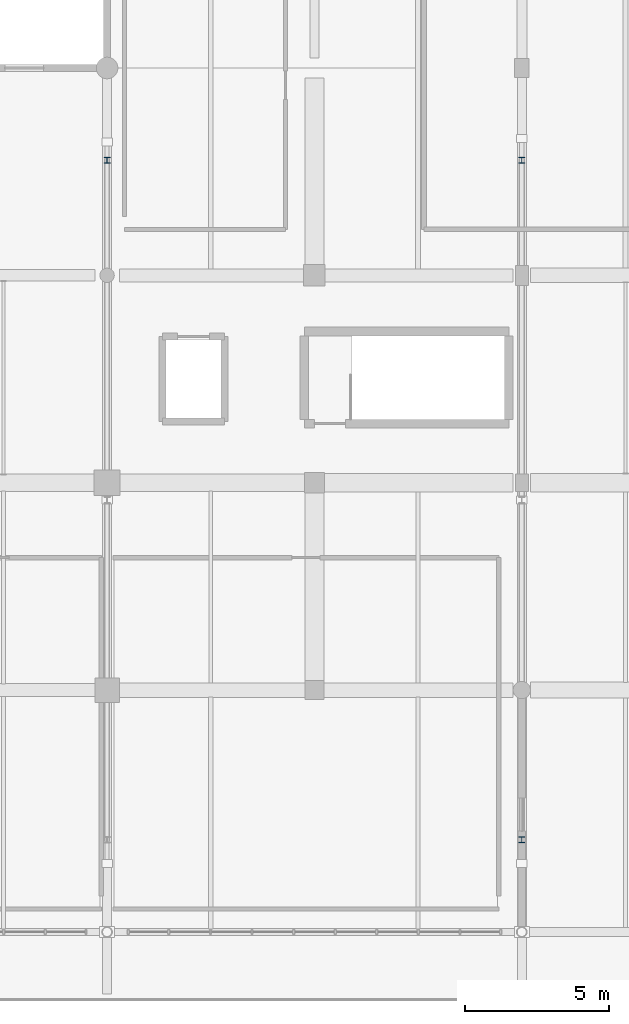
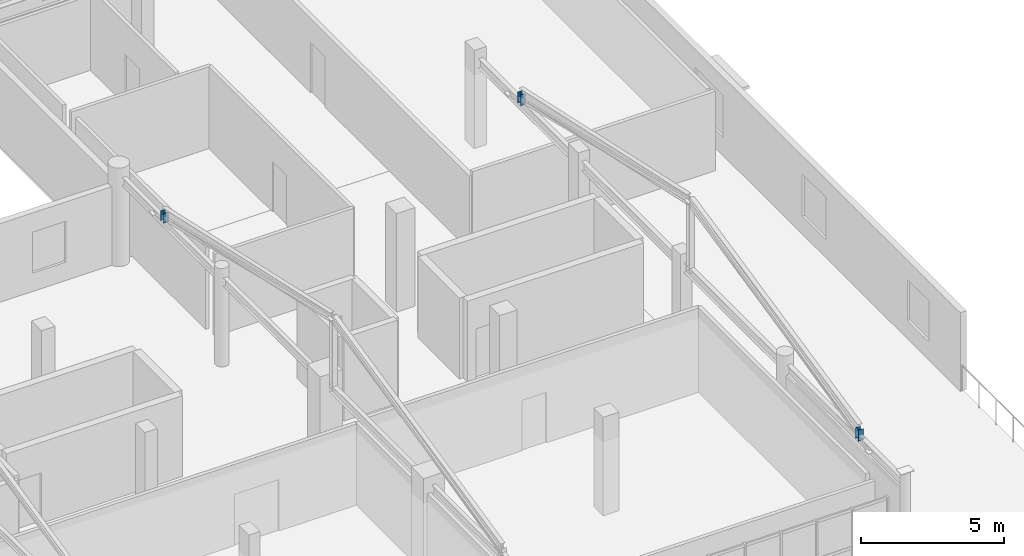
# One storey, part 19 of 41: 3 members.
"""IFC4 building model written with IfcOpenShell, lengths in metres."""

from ifc_helpers import new_model, si_unit, direction, frame, origin, origin_2d, place, context, subcontext, project, spatial, i_section, extrude, material, material_profile, profile_set, type_object, element, save


model = new_model("IFC4")

# Units and contexts
model_context = context("Model", 3, precision=1e-05, world=origin(), true_north=direction((0.0, 1.0)))
body_context = subcontext(model_context, "Body", "Model", "MODEL_VIEW")
ifc_project = project(units=[si_unit("LENGTHUNIT", "METRE"), si_unit("AREAUNIT", "SQUARE_METRE"), si_unit("VOLUMEUNIT", "CUBIC_METRE"), si_unit("PLANEANGLEUNIT", "RADIAN"), si_unit("MASSUNIT", "GRAM", prefix="KILO")], contexts=[model_context])

# Site, building, storey
site_placement = place(None, origin())
site = spatial("IfcSite", under=ifc_project, at=site_placement, CompositionType="ELEMENT")
building_placement = place(site_placement, origin())
building = spatial("IfcBuilding", under=site, at=building_placement, Name="Solanera Park Tramway Depot", CompositionType="ELEMENT")
storey_placement = place(building_placement, frame((0.0, 0.0, 13.199951171875)))
storey = spatial("IfcBuildingStorey", under=building, at=storey_placement, Name="L03", CompositionType="ELEMENT", Elevation=13.199951171875)

# Members
ifc_material = material(Name="Steel AS/NZS 3679.1 Grade 350", Category="steel")
ifc_material_profile = material_profile(ifc_material, i_section(OverallWidth=0.205078125, OverallDepth=0.209716796875, WebThickness=0.00927734375, FlangeThickness=0.01416015625, at=origin_2d()), Name="200UC59.5")
ifc_profile_set = profile_set([ifc_material_profile], Name="Steel AS/NZS 3679.1 Grade 350")
member_type = type_object("IfcMemberType", Name="Roof Gantry Compression Strut 200UC59.5", PredefinedType="STRUT", material=ifc_profile_set)
member_placement = place(storey_placement, frame((165.60009765625, 29.199951171875, 3.622314453125), z_axis=(0.0, 0.0, 1.0), x_axis=(1.0, 0.0, 0.0)))
element("IfcMember", 1, at=member_placement, inside=storey, type_object=member_type, Name="Hip ROOF TRUSS Heel Post #0132", PredefinedType="STRUT", context=body_context, shape_type="SweptSolid", body=[
    extrude(i_section(OverallWidth=0.205078125, OverallDepth=0.209716796875, WebThickness=0.00927734375, FlangeThickness=0.01416015625, at=origin_2d()), origin(), (0.0, 0.0, 1.0), 0.41552734375),
])
for number, where, z_axis, x_axis, name in (
    (2, (180.0, 5.60009765625, 3.596923828125), (0.0, 0.0, 1.0), (1.0, 0.0, 0.0), "Hip ROOF TRUSS Heel Post #0134"),
    (3, (180.0, 29.199951171875, 3.596923828125), (0.0, 0.0, 1.0), (1.0, 0.0, 0.0), "Hip ROOF TRUSS Heel Post #0135"),
):
    element("IfcMember", number, at=place(storey_placement, frame(where, z_axis=z_axis, x_axis=x_axis)), inside=storey, type_object=member_type, Name=name, PredefinedType="STRUT", context=body_context, shape_type="SweptSolid", body=[
        extrude(i_section(OverallWidth=0.205078125, OverallDepth=0.209716796875, WebThickness=0.00927734375, FlangeThickness=0.01416015625, at=origin_2d()), origin(), (0.0, 0.0, 1.0), 0.46630859375),
    ])

save(model, "model.ifc")
